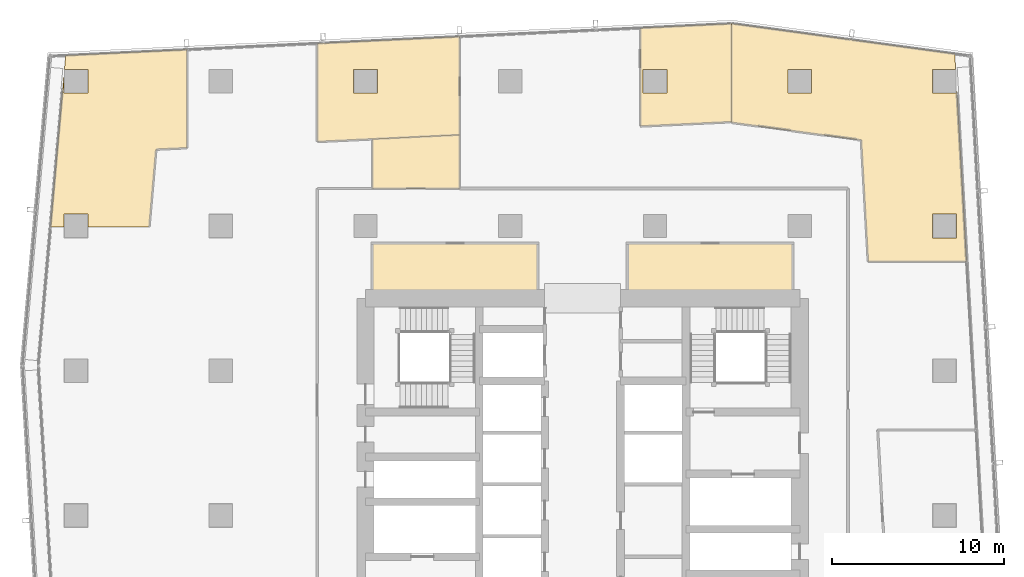
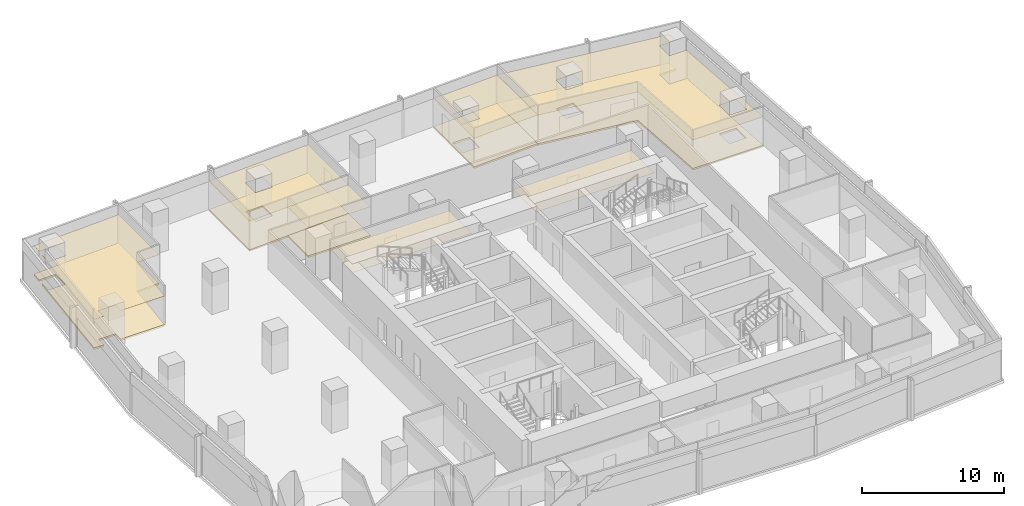
# One storey, part 40 of 40: 12 coverings.
"""IFC4 building model written with IfcOpenShell, lengths in metres."""

from ifc_helpers import new_model, si_unit, direction, frame, origin, place, context, subcontext, project, spatial, polyline, outline, extrude, material, layer, layer_set, type_object, element, save


model = new_model("IFC4")

# Units and contexts
model_context = context("Model", 3, precision=1e-05, world=origin(), true_north=direction((0.0, 1.0)))
body_context = subcontext(model_context, "Body", "Model", "MODEL_VIEW")
ifc_project = project(units=[si_unit("LENGTHUNIT", "METRE"), si_unit("AREAUNIT", "SQUARE_METRE"), si_unit("VOLUMEUNIT", "CUBIC_METRE"), si_unit("PLANEANGLEUNIT", "RADIAN"), si_unit("MASSUNIT", "GRAM", prefix="KILO")], contexts=[model_context])

# Site, building, storey
site_placement = place(None, origin())
site = spatial("IfcSite", under=ifc_project, at=site_placement, CompositionType="ELEMENT")
building_placement = place(site_placement, origin())
building = spatial("IfcBuilding", under=site, at=building_placement, Name="Rekha Terrace Tower", CompositionType="ELEMENT")
storey_placement = place(building_placement, frame((0.0, 0.0, 213.949951171875)))
storey = spatial("IfcBuildingStorey", under=building, at=storey_placement, Name="L54", CompositionType="ELEMENT", Elevation=213.949951171875)

# Coverings
ifc_material_1 = material(Name="Mineral fibre tile in exposed grid", Category="finish")
ifc_layer_1 = layer(ifc_material_1, 0.02001953125)
ifc_layer_set_1 = layer_set([ifc_layer_1], Name="Mineral fibre tile in exposed grid")
covering_type_1 = type_object("IfcCoveringType", Name="CL1 600x1200 office grid ceiling", PredefinedType="CEILING", material=ifc_layer_set_1)
covering_1_placement = place(storey_placement, frame((0.0, 0.0, 2.580078125)))
element("IfcCovering", 1, at=covering_1_placement, inside=storey, type_object=covering_type_1, Name="Ceiling L54-06", PredefinedType="CEILING", context=body_context, shape_type="SweptSolid", body=[
    extrude(outline(polyline([(58.110107421875, 59.489990234375), (59.443115234375, 59.489990234375), (59.39208984375, 60.39208984375), (46.445068359375, 62.154052734375), (46.445068359375, 56.40087890625), (53.967041015625, 55.3779296875), (54.366943359375, 48.33203125), (60.075927734375, 48.33203125), (59.51611328125, 58.2099609375), (59.489990234375, 58.208984375), (59.489990234375, 58.110107421875), (58.110107421875, 58.110107421875), (58.110107421875, 59.489990234375)]), holes=[polyline([(59.489990234375, 51.090087890625), (59.489990234375, 49.7099609375), (58.110107421875, 49.7099609375), (58.110107421875, 51.090087890625), (59.489990234375, 51.090087890625)]), polyline([(51.090087890625, 58.110107421875), (49.7099609375, 58.110107421875), (49.7099609375, 59.489990234375), (51.090087890625, 59.489990234375), (51.090087890625, 58.110107421875)])]), origin(), (0.0, 0.0, 1.0), 0.02001953125),
])
covering_2_placement = place(storey_placement, frame((0.0, 0.0, 2.580078125)))
element("IfcCovering", 2, at=covering_2_placement, inside=storey, type_object=covering_type_1, Name="Ceiling L54-07", PredefinedType="CEILING", context=body_context, shape_type="SweptSolid", body=[
    extrude(outline(polyline([(46.444091796875, 62.14697265625), (41.152099609375, 61.89404296875), (41.152099609375, 56.18798828125), (46.444091796875, 56.44091796875), (46.444091796875, 62.14697265625)]), holes=[polyline([(42.68994140625, 59.489990234375), (42.68994140625, 58.110107421875), (41.31005859375, 58.110107421875), (41.31005859375, 59.489990234375), (42.68994140625, 59.489990234375)])]), origin(), (0.0, 0.0, 1.0), 0.02001953125),
])
covering_3_placement = place(storey_placement, frame((0.0, 0.0, 2.580078125)))
element("IfcCovering", 3, at=covering_3_placement, inside=storey, type_object=covering_type_1, Name="Ceiling L54-08", PredefinedType="CEILING", context=body_context, shape_type="SweptSolid", body=[
    extrude(outline(polyline([(30.660888671875, 55.68603515625), (30.660888671875, 61.39306640625), (22.40087890625, 60.998046875), (22.40087890625, 55.291015625), (30.660888671875, 55.68603515625)]), holes=[polyline([(25.889892578125, 58.110107421875), (24.510009765625, 58.110107421875), (24.510009765625, 59.489990234375), (25.889892578125, 59.489990234375), (25.889892578125, 58.110107421875)])]), origin(), (0.0, 0.0, 1.0), 0.02001953125),
])
covering_4_placement = place(storey_placement, frame((0.0, 0.0, 2.580078125)))
element("IfcCovering", 4, at=covering_4_placement, inside=storey, type_object=covering_type_1, Name="Ceiling L54-09", PredefinedType="CEILING", context=body_context, shape_type="SweptSolid", body=[
    extrude(outline(polyline([(9.090087890625, 51.090087890625), (9.090087890625, 50.33203125), (12.64306640625, 50.33203125), (13.041015625, 54.843994140625), (14.842041015625, 54.929931640625), (14.842041015625, 60.636962890625), (7.801025390625, 60.300048828125), (7.72900390625, 59.489990234375), (9.090087890625, 59.489990234375), (9.090087890625, 58.110107421875), (7.7099609375, 58.110107421875), (7.7099609375, 59.0029296875), (7.68701171875, 59.00390625), (6.9208984375, 50.33203125), (7.7099609375, 50.33203125), (7.7099609375, 51.090087890625), (9.090087890625, 51.090087890625)])), origin(), (0.0, 0.0, 1.0), 0.02001953125),
])
covering_5_placement = place(storey_placement, frame((0.0, 0.0, 2.580078125)))
element("IfcCovering", 5, at=covering_5_placement, inside=storey, type_object=covering_type_1, Name="Ceiling L54-16", PredefinedType="CEILING", context=body_context, shape_type="SweptSolid", body=[
    extrude(outline(polyline([(25.60009765625, 55.444091796875), (25.60009765625, 52.574951171875), (30.660888671875, 52.574951171875), (30.660888671875, 55.68603515625), (25.60009765625, 55.444091796875)])), origin(), (0.0, 0.0, 1.0), 0.02001953125),
])
ifc_material_2 = material(Name="Fibre cement board", Category="finish")
ifc_layer_2 = layer(ifc_material_2, 0.014892578125)
ifc_layer_set_2 = layer_set([ifc_layer_2], Name="Fibre cement board")
covering_type_2 = type_object("IfcCoveringType", Name="CL2 moisture-resistant board ceiling", PredefinedType="CEILING", material=ifc_layer_set_2)
covering_6_placement = place(storey_placement, frame((0.0, 0.0, 2.5849609375)))
element("IfcCovering", 6, at=covering_6_placement, inside=storey, type_object=covering_type_2, Name="Ceiling L54-WCF", PredefinedType="CEILING", context=body_context, shape_type="SweptSolid", body=[
    extrude(outline(polyline([(50.0, 49.39990234375), (40.39990234375, 49.39990234375), (40.39990234375, 46.199951171875), (50.0, 46.199951171875), (50.0, 49.39990234375)])), origin(), (0.0, 0.0, 1.0), 0.01513671875),
])
covering_7_placement = place(storey_placement, frame((0.0, 0.0, 2.5849609375)))
element("IfcCovering", 7, at=covering_7_placement, inside=storey, type_object=covering_type_2, Name="Ceiling L54-WCF2", PredefinedType="CEILING", context=body_context, shape_type="SweptSolid", body=[
    extrude(outline(polyline([(35.199951171875, 49.39990234375), (25.60009765625, 49.39990234375), (25.60009765625, 46.199951171875), (35.199951171875, 46.199951171875), (35.199951171875, 49.39990234375)])), origin(), (0.0, 0.0, 1.0), 0.01513671875),
])
ifc_material_3 = material(Name="Calcium sulphate panels on steel pedestals", Category="steel")
ifc_layer_3 = layer(ifc_material_3, 0.14990234375)
ifc_layer_set_3 = layer_set([ifc_layer_3], Name="Calcium sulphate panels on steel pedestals")
covering_type_3 = type_object("IfcCoveringType", Name="RF1 150 raised access floor", PredefinedType="FLOORING", material=ifc_layer_set_3)
covering_8_placement = place(storey_placement, origin())
element("IfcCovering", 8, at=covering_8_placement, inside=storey, type_object=covering_type_3, Name="Raised floor L54-06", PredefinedType="FLOORING", context=body_context, shape_type="SweptSolid", body=[
    extrude(outline(polyline([(58.110107421875, 59.489990234375), (59.443115234375, 59.489990234375), (59.39208984375, 60.39208984375), (46.445068359375, 62.154052734375), (46.445068359375, 56.40087890625), (53.967041015625, 55.3779296875), (54.366943359375, 48.33203125), (60.075927734375, 48.33203125), (59.51611328125, 58.2099609375), (59.489990234375, 58.208984375), (59.489990234375, 58.110107421875), (58.110107421875, 58.110107421875), (58.110107421875, 59.489990234375)]), holes=[polyline([(59.489990234375, 51.090087890625), (59.489990234375, 49.7099609375), (58.110107421875, 49.7099609375), (58.110107421875, 51.090087890625), (59.489990234375, 51.090087890625)]), polyline([(51.090087890625, 58.110107421875), (49.7099609375, 58.110107421875), (49.7099609375, 59.489990234375), (51.090087890625, 59.489990234375), (51.090087890625, 58.110107421875)])]), origin(), (0.0, 0.0, 1.0), 0.150146484375),
])
covering_9_placement = place(storey_placement, origin())
element("IfcCovering", 9, at=covering_9_placement, inside=storey, type_object=covering_type_3, Name="Raised floor L54-07", PredefinedType="FLOORING", context=body_context, shape_type="SweptSolid", body=[
    extrude(outline(polyline([(46.444091796875, 62.14697265625), (41.152099609375, 61.89404296875), (41.152099609375, 56.18798828125), (46.444091796875, 56.44091796875), (46.444091796875, 62.14697265625)]), holes=[polyline([(42.68994140625, 59.489990234375), (42.68994140625, 58.110107421875), (41.31005859375, 58.110107421875), (41.31005859375, 59.489990234375), (42.68994140625, 59.489990234375)])]), origin(), (0.0, 0.0, 1.0), 0.150146484375),
])
covering_10_placement = place(storey_placement, origin())
element("IfcCovering", 10, at=covering_10_placement, inside=storey, type_object=covering_type_3, Name="Raised floor L54-08", PredefinedType="FLOORING", context=body_context, shape_type="SweptSolid", body=[
    extrude(outline(polyline([(30.660888671875, 55.68603515625), (30.660888671875, 61.39306640625), (22.40087890625, 60.998046875), (22.40087890625, 55.291015625), (30.660888671875, 55.68603515625)]), holes=[polyline([(25.889892578125, 58.110107421875), (24.510009765625, 58.110107421875), (24.510009765625, 59.489990234375), (25.889892578125, 59.489990234375), (25.889892578125, 58.110107421875)])]), origin(), (0.0, 0.0, 1.0), 0.150146484375),
])
covering_11_placement = place(storey_placement, origin())
element("IfcCovering", 11, at=covering_11_placement, inside=storey, type_object=covering_type_3, Name="Raised floor L54-09", PredefinedType="FLOORING", context=body_context, shape_type="SweptSolid", body=[
    extrude(outline(polyline([(9.090087890625, 51.090087890625), (9.090087890625, 50.33203125), (12.64306640625, 50.33203125), (13.041015625, 54.843994140625), (14.842041015625, 54.929931640625), (14.842041015625, 60.636962890625), (7.801025390625, 60.300048828125), (7.72900390625, 59.489990234375), (9.090087890625, 59.489990234375), (9.090087890625, 58.110107421875), (7.7099609375, 58.110107421875), (7.7099609375, 59.0029296875), (7.68701171875, 59.00390625), (6.9208984375, 50.33203125), (7.7099609375, 50.33203125), (7.7099609375, 51.090087890625), (9.090087890625, 51.090087890625)])), origin(), (0.0, 0.0, 1.0), 0.150146484375),
])
covering_12_placement = place(storey_placement, origin())
element("IfcCovering", 12, at=covering_12_placement, inside=storey, type_object=covering_type_3, Name="Raised floor L54-16", PredefinedType="FLOORING", context=body_context, shape_type="SweptSolid", body=[
    extrude(outline(polyline([(25.60009765625, 55.444091796875), (25.60009765625, 52.574951171875), (30.660888671875, 52.574951171875), (30.660888671875, 55.68603515625), (25.60009765625, 55.444091796875)])), origin(), (0.0, 0.0, 1.0), 0.150146484375),
])

save(model, "model.ifc")
